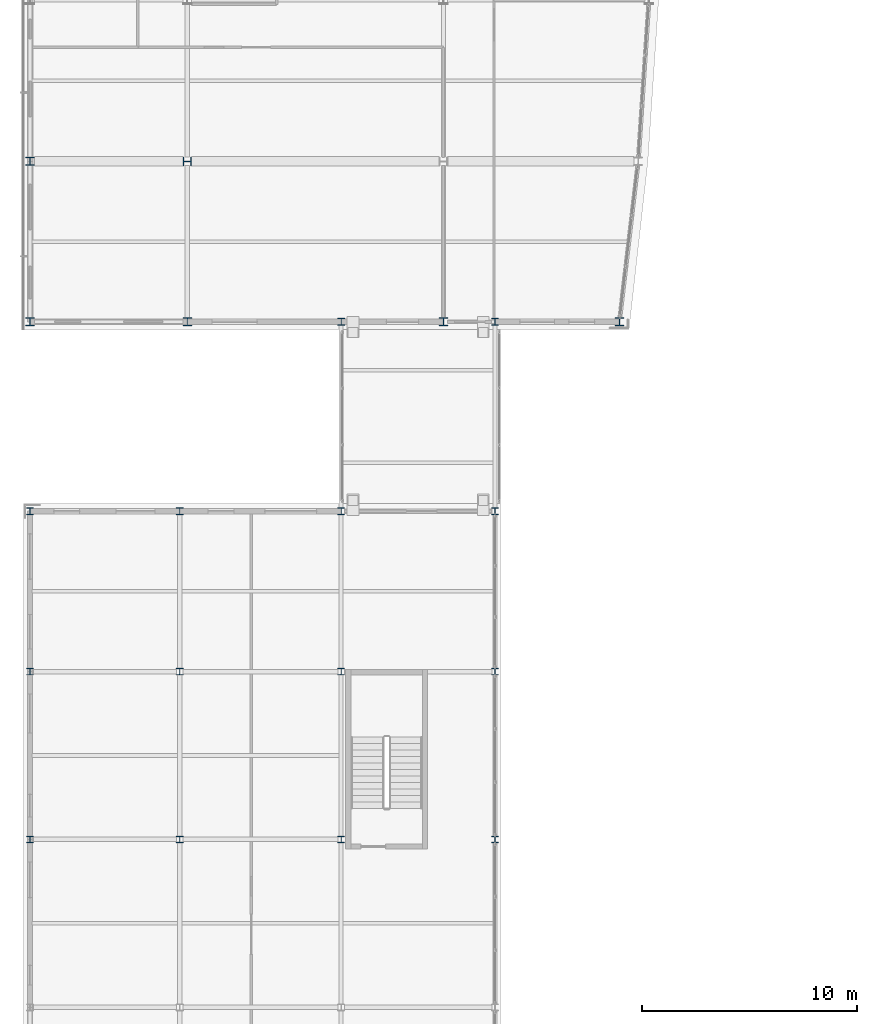
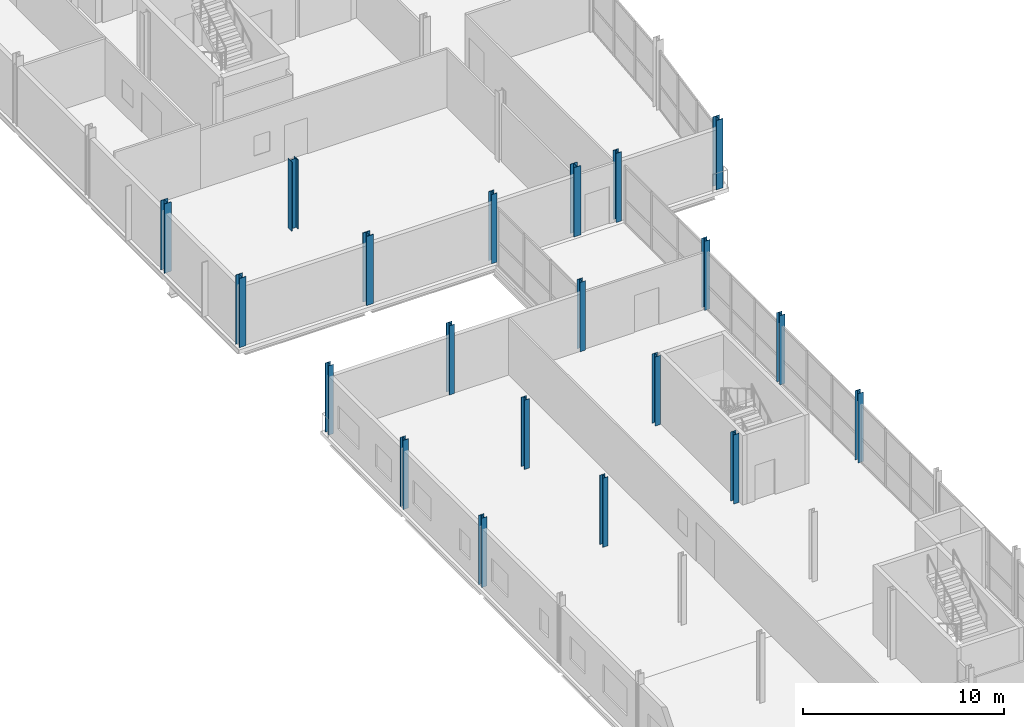
# One storey, part 2 of 60: 20 columns.
"""IFC4 building model written with IfcOpenShell, lengths in metres."""

import ifcopenshell
import ifcopenshell.guid

model = None  # the IFC model being written
_history = None  # IfcOwnerHistory: only IFC2X3 demands one
_inside = {}  # id of a spatial element -> (the spatial element, [elements in it])
_under = {}  # id of a project, library or spatial element -> (it, [spatial elements below it])
_declared = {}  # id of a project -> (the project, [libraries it declares])
_typed = {}  # id of a type object -> (the type object, [elements of that type])
_made_of = {}  # id of a material, layer set ... -> (it, [elements and type objects made of it])


def new_model(schema):
    """Start an empty IFC model of exactly this schema.

    Asked for "IFC4X3", IfcOpenShell would pick the latest addendum, in which some entities
    have other attributes; the version numbers below select the first issue.
    IFC2X3 requires an IfcOwnerHistory on every rooted entity: one is made here for all.
    """
    global model, _history
    if schema == "IFC4X3":
        model = ifcopenshell.file(schema_version=(4, 3, 0, 0))
    else:
        model = ifcopenshell.file(schema=schema)
    _inside.clear()
    _under.clear()
    _declared.clear()
    _typed.clear()
    _made_of.clear()
    _history = None
    if model.schema == "IFC2X3":
        org = make("IfcOrganization", Name="unknown")
        user = make(
            "IfcPersonAndOrganization",
            ThePerson=make("IfcPerson", FamilyName="unknown"),
            TheOrganization=org,
        )
        app = make(
            "IfcApplication",
            ApplicationDeveloper=org,
            Version="unknown",
            ApplicationFullName="unknown",
            ApplicationIdentifier="unknown",
        )
        _history = make(
            "IfcOwnerHistory",
            OwningUser=user,
            OwningApplication=app,
            ChangeAction="ADDED",
            CreationDate=0,
        )
    return model


def make(cls, **values):
    """One entity of the class cls with the attributes given. An attribute that is None is left unset."""
    return model.create_entity(
        cls, **{name: value for name, value in values.items() if value is not None}
    )


def rooted(cls, **values):
    """An entity with a GlobalId (a new one), such as an element, a storey or a relation."""
    return make(cls, GlobalId=ifcopenshell.guid.new(), OwnerHistory=_history, **values)


def si_unit(unit_type, name, prefix=None):
    """IfcSIUnit, for example si_unit("LENGTHUNIT", "METRE", prefix="MILLI")."""
    return make("IfcSIUnit", UnitType=unit_type, Prefix=prefix, Name=name)


def assignment(units):
    """IfcUnitAssignment: the units of a project."""
    return None if units is None else make("IfcUnitAssignment", Units=units)


def point(xyz):
    """IfcCartesianPoint."""
    return None if xyz is None else make("IfcCartesianPoint", Coordinates=xyz)


def direction(xyz):
    """IfcDirection."""
    return None if xyz is None else make("IfcDirection", DirectionRatios=xyz)


def frame(location, z_axis=None, x_axis=None):
    """IfcAxis2Placement3D, a coordinate frame: its origin and axes. An axis left out is left unset."""
    return make(
        "IfcAxis2Placement3D",
        Location=point(location),
        Axis=direction(z_axis),
        RefDirection=direction(x_axis),
    )


def frame_2d(location, x_axis=None):
    """IfcAxis2Placement2D, a coordinate frame in the plane: its origin and x axis."""
    return make(
        "IfcAxis2Placement2D", Location=point(location), RefDirection=direction(x_axis)
    )


def origin():
    """The frame at (0, 0, 0) with its axes left unset."""
    return frame((0.0, 0.0, 0.0))


def origin_2d():
    """The frame at (0, 0) in the plane with its x axis left unset."""
    return frame_2d((0.0, 0.0))


def place(relative_to, where):
    """IfcLocalPlacement: puts the frame where relative to a parent placement (None: the world)."""
    return make(
        "IfcLocalPlacement", PlacementRelTo=relative_to, RelativePlacement=where
    )


def context(
    kind, dimensions, precision=None, world=None, true_north=None, identifier=None
):
    """IfcGeometricRepresentationContext, for example the 3D "Model" context."""
    return make(
        "IfcGeometricRepresentationContext",
        ContextIdentifier=identifier,
        ContextType=kind,
        CoordinateSpaceDimension=dimensions,
        Precision=precision,
        WorldCoordinateSystem=world,
        TrueNorth=true_north,
    )


def subcontext(parent, identifier, kind, view, scale=None):
    """IfcGeometricRepresentationSubContext, for example "Body" below "Model"."""
    return make(
        "IfcGeometricRepresentationSubContext",
        ContextIdentifier=identifier,
        ContextType=kind,
        ParentContext=parent,
        TargetScale=scale,
        TargetView=view,
    )


def project(units=None, contexts=None):
    """IfcProject with its units and contexts."""
    return rooted(
        "IfcProject",
        Name="project",
        RepresentationContexts=contexts,
        UnitsInContext=assignment(units),
    )


def spatial(cls, under=None, at=None, **own):
    """A site, building, storey or space (cls), placed at a placement, below another one or the project."""
    s = rooted(cls, ObjectPlacement=at, **own)
    if under is not None:
        _under.setdefault(under.id(), (under, []))[1].append(s)
    return s


def profile(cls, at=None, kind="AREA", **sizes):
    """A parametric profile (cls). Its sizes go by their IFC names, for example OverallWidth=200.0."""
    return make(cls, ProfileType=kind, Position=at, **sizes)


def i_section(**sizes):
    """IfcIShapeProfileDef."""
    return profile("IfcIShapeProfileDef", **sizes)


def extrude(swept, where, along, depth):
    """IfcExtrudedAreaSolid: the profile swept, set in the frame where, extruded along a direction by depth."""
    return make(
        "IfcExtrudedAreaSolid",
        SweptArea=swept,
        Position=where,
        ExtrudedDirection=direction(along),
        Depth=depth,
    )


def shape(context_of_items, identifier, shape_type, items):
    """IfcShapeRepresentation: the items that make up one representation, for example the "Body"."""
    return make(
        "IfcShapeRepresentation",
        ContextOfItems=context_of_items,
        RepresentationIdentifier=identifier,
        RepresentationType=shape_type,
        Items=items,
    )


def material(Name=None, Category=None):
    """IfcMaterial."""
    return make("IfcMaterial", Name=Name, Category=Category)


def material_profile(
    of_material, cross_section, Name=None, Category=None, Priority=None
):
    """IfcMaterialProfile: a cross section and its material."""
    return make(
        "IfcMaterialProfile",
        Name=Name,
        Material=of_material,
        Profile=cross_section,
        Priority=Priority,
        Category=Category,
    )


def profile_set(profiles, Name=None, composite=None):
    """IfcMaterialProfileSet."""
    return make(
        "IfcMaterialProfileSet",
        Name=Name,
        MaterialProfiles=profiles,
        CompositeProfile=composite,
    )


def made_of(thing, what):
    """Note that an element or type object is made of a material, layer set ...; save() writes the relation."""
    if what is not None:
        _made_of.setdefault(what.id(), (what, []))[1].append(thing)
    return thing


def type_object(cls, material=None, **own):
    """A type object (cls), such as IfcWallType, which elements share."""
    return made_of(rooted(cls, **own), material)


def element(
    cls,
    number,
    at=None,
    inside=None,
    cuts=None,
    type_object=None,
    material=None,
    context=None,
    identifier="Body",
    shape_type=None,
    held_by="IfcProductDefinitionShape",
    body=None,
    shapes=None,
    **own,
):
    """One element of the class cls, such as IfcWall. Its Tag is "e" and its number.

    at: its placement. inside: the storey or other place that contains it. cuts: it is an
    opening in that element (IfcRelVoidsElement). A single representation is given by context,
    identifier, shape_type and body (its items); several are given by shapes. held_by: the class
    of the entity that holds the representations. save() writes the other relations.
    """
    e = rooted(cls, Tag="e%d" % number, ObjectPlacement=at, **own)
    if body is not None:
        shapes = [shape(context, identifier, shape_type, body)]
    if shapes is not None:
        e.Representation = make(held_by, Representations=shapes)
    if inside is not None:
        _inside.setdefault(inside.id(), (inside, []))[1].append(e)
    if cuts is not None:
        rooted(
            "IfcRelVoidsElement", RelatingBuildingElement=cuts, RelatedOpeningElement=e
        )
    if type_object is not None:
        _typed.setdefault(type_object.id(), (type_object, []))[1].append(e)
    return made_of(e, material)


def aggregate(whole, parts):
    """IfcRelAggregates: a whole, such as a stair, and the parts it consists of."""
    return rooted("IfcRelAggregates", RelatingObject=whole, RelatedObjects=parts)


def save(model, path):
    """Write the relations noted so far, then the file.

    IfcRelAggregates (storeys below a building ...), IfcRelContainedInSpatialStructure (elements
    in a storey), IfcRelDefinesByType, IfcRelAssociatesMaterial and IfcRelDeclares: one each for
    every whole, place, type object, material and project.
    """
    for whole, parts in _under.values():
        aggregate(whole, parts)
    for where, things in _inside.values():
        rooted(
            "IfcRelContainedInSpatialStructure",
            RelatedElements=things,
            RelatingStructure=where,
        )
    for kind, things in _typed.values():
        rooted("IfcRelDefinesByType", RelatedObjects=things, RelatingType=kind)
    for what, things in _made_of.values():
        rooted("IfcRelAssociatesMaterial", RelatedObjects=things, RelatingMaterial=what)
    for by, libraries in _declared.values():
        rooted("IfcRelDeclares", RelatingContext=by, RelatedDefinitions=libraries)
    model.write(path)


model = new_model("IFC4")

# Units and contexts
model_context = context("Model", 3, precision=1e-05, world=origin(), true_north=direction((0.0, 1.0)))
body_context = subcontext(model_context, "Body", "Model", "MODEL_VIEW")
ifc_project = project(units=[si_unit("LENGTHUNIT", "METRE"), si_unit("AREAUNIT", "SQUARE_METRE"), si_unit("VOLUMEUNIT", "CUBIC_METRE"), si_unit("PLANEANGLEUNIT", "RADIAN"), si_unit("MASSUNIT", "GRAM", prefix="KILO")], contexts=[model_context])

# Site, building, storey
site_placement = place(None, origin())
site = spatial("IfcSite", under=ifc_project, at=site_placement, CompositionType="ELEMENT")
building_placement = place(site_placement, origin())
building = spatial("IfcBuilding", under=site, at=building_placement, Name="Quillay Park Conservatory", CompositionType="ELEMENT")
storey_placement = place(building_placement, frame((0.0, 0.0, 9.89990234375)))
storey = spatial("IfcBuildingStorey", under=building, at=storey_placement, Name="L02", CompositionType="ELEMENT", Elevation=9.89990234375)

# Columns
ifc_material_1 = material(Name="Steel ASTM A992 Grade 50", Category="steel")
ifc_material_profile_1 = material_profile(ifc_material_1, i_section(OverallWidth=0.306884765625, OverallDepth=0.31396484375, WebThickness=0.011962890625, FlangeThickness=0.018798828125, FilletRadius=0.014892578125, at=origin_2d()), Name="W310x117")
ifc_profile_set_1 = profile_set([ifc_material_profile_1], Name="Steel ASTM A992 Grade 50")
column_type_1 = type_object("IfcColumnType", Name="COMPOSITE STEEL COLUMN W310 X117", PredefinedType="COLUMN", material=ifc_profile_set_1)
for number, where, z_axis, x_axis, name in (
    (1, (0.550048828125, 39.0, 0.0), (0.0, 0.0, 1.0), (1.0, 0.0, 0.0), "L02 column COL-V3-L02-0-5"),
    (2, (0.550048828125, 46.800048828125, 0.0), (0.0, 0.0, 1.0), (1.0, 0.0, 0.0), "L02 column COL-V3-L02-0-6"),
    (3, (0.550048828125, 54.25, 0.0), (0.0, 0.0, 1.0), (1.0, 0.0, 0.0), "L02 column COL-V3-L02-0-7"),
    (4, (7.5, 39.0, 0.0), (0.0, 0.0, 1.0), (1.0, 0.0, 0.0), "L02 column COL-V3-L02-1-5"),
    (5, (7.5, 46.800048828125, 0.0), (0.0, 0.0, 1.0), (1.0, 0.0, 0.0), "L02 column COL-V3-L02-1-6"),
    (6, (7.5, 54.25, 0.0), (0.0, 0.0, 1.0), (1.0, 0.0, 0.0), "L02 column COL-V3-L02-1-7"),
    (7, (15.0, 39.0, 0.0), (0.0, 0.0, 1.0), (1.0, 0.0, 0.0), "L02 column COL-V3-L02-2-5"),
    (8, (15.0, 46.800048828125, 0.0), (0.0, 0.0, 1.0), (1.0, 0.0, 0.0), "L02 column COL-V3-L02-2-6"),
    (9, (15.0, 54.25, 0.0), (0.0, 0.0, 1.0), (1.0, 0.0, 0.0), "L02 column COL-V3-L02-2-7"),
    (10, (22.14990234375, 39.0, 0.0), (0.0, 0.0, 1.0), (1.0, 0.0, 0.0), "L02 column COL-V3-L02-3-5"),
    (11, (22.14990234375, 46.800048828125, 0.0), (0.0, 0.0, 1.0), (1.0, 0.0, 0.0), "L02 column COL-V3-L02-3-6"),
    (12, (22.14990234375, 54.25, 0.0), (0.0, 0.0, 1.0), (1.0, 0.0, 0.0), "L02 column COL-V3-L02-3-7"),
):
    element("IfcColumn", number, at=place(storey_placement, frame(where, z_axis=z_axis, x_axis=x_axis)), inside=storey, type_object=column_type_1, Name=name, PredefinedType="COLUMN", context=body_context, shape_type="SweptSolid", body=[
        extrude(i_section(OverallWidth=0.306884765625, OverallDepth=0.31396484375, WebThickness=0.011962890625, FlangeThickness=0.018798828125, FilletRadius=0.014892578125, at=origin_2d()), origin(), (0.0, 0.0, 1.0), 4.2001953125),
    ])
ifc_material_2 = material(Name="Steel ASTM A992 Grade 50", Category="steel")
ifc_material_profile_2 = material_profile(ifc_material_2, i_section(OverallWidth=0.30908203125, OverallDepth=0.322998046875, WebThickness=0.013916015625, FlangeThickness=0.02294921875, FilletRadius=0.014892578125, at=origin_2d()), Name="W310x143")
ifc_profile_set_2 = profile_set([ifc_material_profile_2], Name="Steel ASTM A992 Grade 50")
column_type_2 = type_object("IfcColumnType", Name="COMPOSITE STEEL COLUMN W310 X143", PredefinedType="COLUMN", material=ifc_profile_set_2)
for number, where, z_axis, x_axis, name in (
    (13, (15.0, 63.050048828125, 0.0), (0.0, 0.0, 1.0), (1.0, 0.0, 0.0), "L02 column COL-LB1N-L02-0"),
    (14, (22.14990234375, 63.050048828125, 0.0), (0.0, 0.0, 1.0), (1.0, 0.0, 0.0), "L02 column COL-LB1N-L02-1"),
):
    element("IfcColumn", number, at=place(storey_placement, frame(where, z_axis=z_axis, x_axis=x_axis)), inside=storey, type_object=column_type_2, Name=name, PredefinedType="COLUMN", context=body_context, shape_type="SweptSolid", body=[
        extrude(i_section(OverallWidth=0.30908203125, OverallDepth=0.322998046875, WebThickness=0.013916015625, FlangeThickness=0.02294921875, FilletRadius=0.014892578125, at=origin_2d()), origin(), (0.0, 0.0, 1.0), 4.2001953125),
    ])
ifc_material_3 = material(Name="Steel ASTM A992 Grade 50", Category="steel")
ifc_material_profile_3 = material_profile(ifc_material_3, i_section(OverallWidth=0.39501953125, OverallDepth=0.3798828125, WebThickness=0.018798828125, FlangeThickness=0.0302734375, FilletRadius=0.014892578125, at=origin_2d()), Name="W360x237")
ifc_profile_set_3 = profile_set([ifc_material_profile_3], Name="Steel ASTM A992 Grade 50")
column_type_3 = type_object("IfcColumnType", Name="COMPOSITE STEEL COLUMN W360 X237", PredefinedType="COLUMN", material=ifc_profile_set_3)
for number, where, z_axis, x_axis, name in (
    (15, (0.550048828125, 63.050048828125, 0.0), (0.0, 0.0, 1.0), (1.0, 0.0, 0.0), "L02 column COL-V4-L02-0-0"),
    (16, (7.85009765625, 63.050048828125, 0.0), (0.0, 0.0, 1.0), (1.0, 0.0, 0.0), "L02 column COL-V4-L02-0-1"),
    (17, (19.75, 63.050048828125, 0.0), (0.0, 0.0, 1.0), (1.0, 0.0, 0.0), "L02 column COL-V4-L02-0-2"),
    (18, (27.925048828125, 63.050048828125, 0.0), (0.0, 0.0, 1.0), (1.0, 0.0, 0.0), "L02 column COL-V4-L02-0-3"),
    (19, (0.550048828125, 70.5, 0.0), (0.0, 0.0, 1.0), (1.0, 0.0, 0.0), "L02 column COL-V4-L02-1-0"),
    (20, (7.85009765625, 70.5, 0.0), (0.0, 0.0, 1.0), (0.0, 1.0, 0.0), "L02 column COL-V4-L02-1-1"),
):
    element("IfcColumn", number, at=place(storey_placement, frame(where, z_axis=z_axis, x_axis=x_axis)), inside=storey, type_object=column_type_3, Name=name, PredefinedType="COLUMN", context=body_context, shape_type="SweptSolid", body=[
        extrude(i_section(OverallWidth=0.39501953125, OverallDepth=0.3798828125, WebThickness=0.018798828125, FlangeThickness=0.0302734375, FilletRadius=0.014892578125, at=origin_2d()), origin(), (0.0, 0.0, 1.0), 4.2001953125),
    ])

save(model, "model.ifc")
